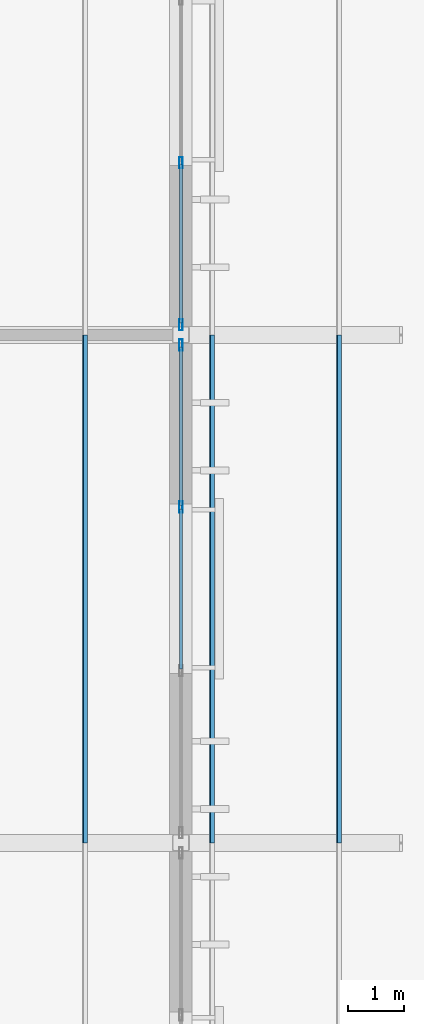
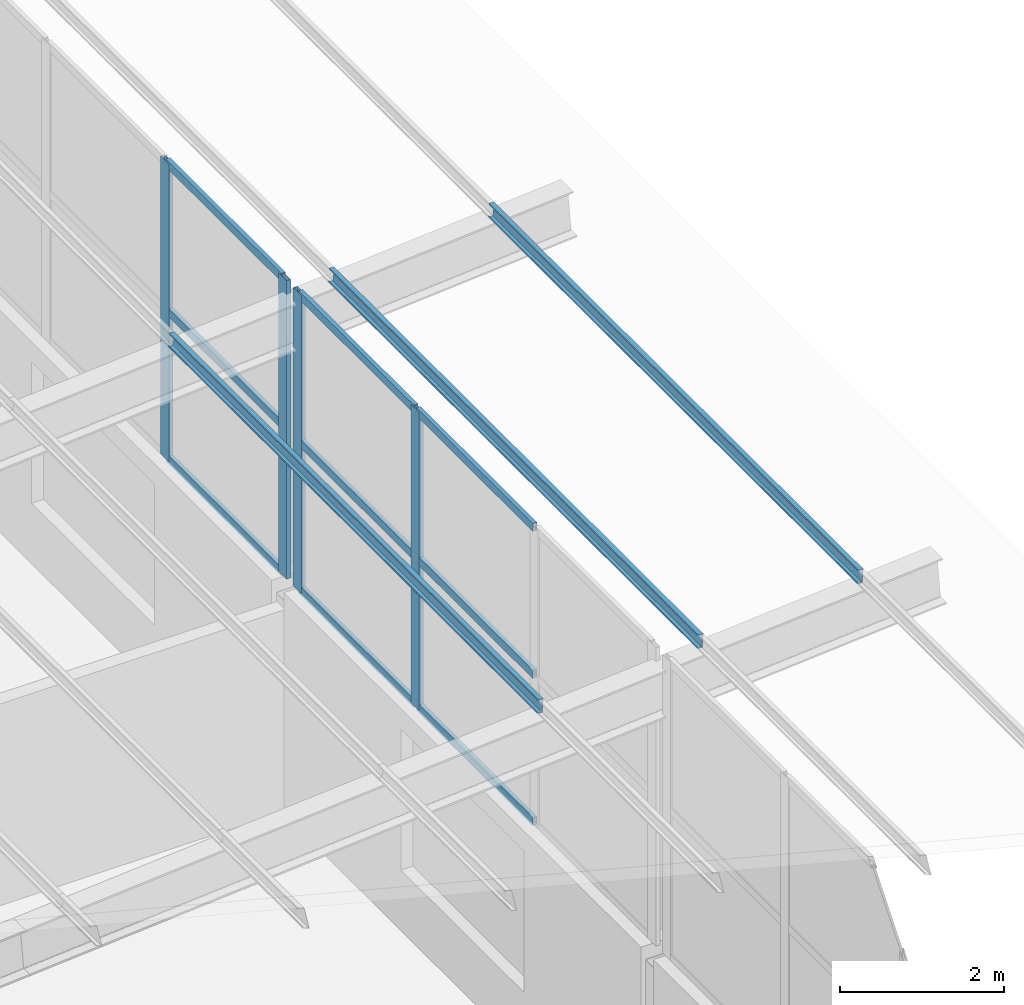
# One storey, part 48 of 85: 16 members, 2 elements without a shape of their own.
"""IFC4 building model written with IfcOpenShell, lengths in metres."""

from ifc_helpers import new_model, si_unit, direction, frame, origin, origin_2d, place, context, subcontext, project, spatial, polyline, hollow_rectangle, outline, extrude, material, layer, layer_set, material_profile, profile_set, type_object, element, aggregate, save


model = new_model("IFC4")

# Units and contexts
model_context = context("Model", 3, precision=1e-05, world=origin(), true_north=direction((0.0, 1.0)))
body_context = subcontext(model_context, "Body", "Model", "MODEL_VIEW")
ifc_project = project(units=[si_unit("LENGTHUNIT", "METRE"), si_unit("AREAUNIT", "SQUARE_METRE"), si_unit("VOLUMEUNIT", "CUBIC_METRE"), si_unit("PLANEANGLEUNIT", "RADIAN"), si_unit("MASSUNIT", "GRAM", prefix="KILO")], contexts=[model_context])

# Site, building, storey
site_placement = place(None, origin())
site = spatial("IfcSite", under=ifc_project, at=site_placement, CompositionType="ELEMENT")
building_placement = place(site_placement, origin())
building = spatial("IfcBuilding", under=site, at=building_placement, Name="Opaline Strait Convention Centre", CompositionType="ELEMENT")
storey_placement = place(building_placement, frame((0.0, 0.0, 17.0)))
storey = spatial("IfcBuildingStorey", under=building, at=storey_placement, Name="L03", CompositionType="ELEMENT", Elevation=17.0)

# Curtain wall, members
ifc_material_1 = material(Name="Aluminium framed double glazing", Category="aluminium")
ifc_layer = layer(ifc_material_1, 0.199951171875)
ifc_layer_set = layer_set([ifc_layer], Name="Aluminium framed double glazing")
curtain_wall_type = type_object("IfcCurtainWallType", Name="Curtain wall 3000 module unitised", PredefinedType="NOTDEFINED", material=ifc_layer_set)
curtain_wall_1_placement = place(storey_placement, origin())
curtain_wall_1 = element("IfcCurtainWall", 1, at=curtain_wall_1_placement, inside=storey, type_object=curtain_wall_type, Name="Clerestory curtain wall E L03 41/S", PredefinedType="NOTDEFINED")
ifc_material_2 = material(Name="Aluminium alloy 6063", Category="aluminium")
ifc_material_profile_1 = material_profile(ifc_material_2, hollow_rectangle(XDim=0.06005859375, YDim=0.199951171875, WallThickness=0.00390625, at=origin_2d()), Name="MULLION 60x200x4")
ifc_profile_set_1 = profile_set([ifc_material_profile_1], Name="Aluminium alloy 6063")
member_type_1 = type_object("IfcMemberType", Name="Curtain wall mullion 60 x 200", PredefinedType="MULLION", material=ifc_profile_set_1)
member_1_placement = place(storey_placement, frame((360.0, 149.949951171875, 3.300048828125), z_axis=(0.0, 0.0, 1.0), x_axis=(-1.0, 0.0, 0.0)))
member_1 = element("IfcMember", 2, at=member_1_placement, type_object=member_type_1, Name="MCWR1 mullion 3", PredefinedType="MULLION", context=body_context, shape_type="SweptSolid", body=[
    extrude(hollow_rectangle(XDim=0.06005859375, YDim=0.199951171875, WallThickness=0.00390625, at=origin_2d()), origin(), (0.0, 0.0, 1.0), 4.43603515625),
])
member_2_placement = place(storey_placement, frame((360.0, 152.820068359375, 3.300048828125), z_axis=(0.0, 0.0, 1.0), x_axis=(-1.0, 0.0, 0.0)))
member_2 = element("IfcMember", 3, at=member_2_placement, type_object=member_type_1, Name="MCWR1 mullion 4", PredefinedType="MULLION", context=body_context, shape_type="SweptSolid", body=[
    extrude(hollow_rectangle(XDim=0.06005859375, YDim=0.199951171875, WallThickness=0.00390625, at=origin_2d()), origin(), (0.0, 0.0, 1.0), 4.43603515625),
])

curtain_wall_2_placement = place(storey_placement, origin())
curtain_wall_2 = element("IfcCurtainWall", 4, at=curtain_wall_2_placement, inside=storey, type_object=curtain_wall_type, Name="Clerestory curtain wall E L03 41/T", PredefinedType="NOTDEFINED")
member_3_placement = place(storey_placement, frame((360.0, 153.179931640625, 3.300048828125), z_axis=(0.0, 0.0, 1.0), x_axis=(-1.0, 0.0, 0.0)))
member_3 = element("IfcMember", 5, at=member_3_placement, type_object=member_type_1, Name="MCWR1 mullion 1", PredefinedType="MULLION", context=body_context, shape_type="SweptSolid", body=[
    extrude(hollow_rectangle(XDim=0.06005859375, YDim=0.199951171875, WallThickness=0.00390625, at=origin_2d()), origin(), (0.0, 0.0, 1.0), 4.43603515625),
])
member_4_placement = place(storey_placement, frame((360.0, 156.050048828125, 3.300048828125), z_axis=(0.0, 0.0, 1.0), x_axis=(-1.0, 0.0, 0.0)))
member_4 = element("IfcMember", 6, at=member_4_placement, type_object=member_type_1, Name="MCWR1 mullion 2", PredefinedType="MULLION", context=body_context, shape_type="SweptSolid", body=[
    extrude(hollow_rectangle(XDim=0.06005859375, YDim=0.199951171875, WallThickness=0.00390625, at=origin_2d()), origin(), (0.0, 0.0, 1.0), 4.43603515625),
])

# Member
ifc_material_profile_2 = material_profile(ifc_material_2, hollow_rectangle(XDim=0.06005859375, YDim=0.1201171875, WallThickness=0.0029296875, at=origin_2d()), Name="TRANSOM 60x120x3")
ifc_profile_set_2 = profile_set([ifc_material_profile_2], Name="Aluminium alloy 6063")
member_type_2 = type_object("IfcMemberType", Name="Curtain wall transom 60 x 120", PredefinedType="USERDEFINED", material=ifc_profile_set_2)
member_5_placement = place(storey_placement, frame((360.0, 147.080078125, 3.330078125), z_axis=(0.0, 1.0, 0.0), x_axis=(-1.0, 0.0, 0.0)))
member_5 = element("IfcMember", 7, at=member_5_placement, type_object=member_type_2, Name="MCWR1 transom 2.1", ObjectType="TRANSOM", PredefinedType="USERDEFINED", context=body_context, shape_type="SweptSolid", body=[
    extrude(hollow_rectangle(XDim=0.06005859375, YDim=0.1201171875, WallThickness=0.0029296875, at=origin_2d()), origin(), (0.0, 0.0, 1.0), 2.83984375),
])

member_6_placement = place(storey_placement, frame((360.0, 147.080078125, 5.51806640625), z_axis=(0.0, 1.0, 0.0), x_axis=(-1.0, 0.0, 0.0)))
member_6 = element("IfcMember", 8, at=member_6_placement, type_object=member_type_2, Name="MCWR1 transom 2.2", ObjectType="TRANSOM", PredefinedType="USERDEFINED", context=body_context, shape_type="SweptSolid", body=[
    extrude(hollow_rectangle(XDim=0.06005859375, YDim=0.1201171875, WallThickness=0.0029296875, at=origin_2d()), origin(), (0.0, 0.0, 1.0), 2.83984375),
])

member_7_placement = place(storey_placement, frame((360.0, 147.080078125, 7.7060546875), z_axis=(0.0, 1.0, 0.0), x_axis=(-1.0, 0.0, 0.0)))
member_7 = element("IfcMember", 9, at=member_7_placement, type_object=member_type_2, Name="MCWR1 transom 2.3", ObjectType="TRANSOM", PredefinedType="USERDEFINED", context=body_context, shape_type="SweptSolid", body=[
    extrude(hollow_rectangle(XDim=0.06005859375, YDim=0.1201171875, WallThickness=0.0029296875, at=origin_2d()), origin(), (0.0, 0.0, 1.0), 2.83984375),
])

member_8_placement = place(storey_placement, frame((360.0, 149.97998046875, 3.330078125), z_axis=(0.0, 1.0, 0.0), x_axis=(-1.0, 0.0, 0.0)))
member_8 = element("IfcMember", 10, at=member_8_placement, type_object=member_type_2, Name="MCWR1 transom 3.1", ObjectType="TRANSOM", PredefinedType="USERDEFINED", context=body_context, shape_type="SweptSolid", body=[
    extrude(hollow_rectangle(XDim=0.06005859375, YDim=0.1201171875, WallThickness=0.0029296875, at=origin_2d()), origin(), (0.0, 0.0, 1.0), 2.81005859375),
])

member_9_placement = place(storey_placement, frame((360.0, 149.97998046875, 5.51806640625), z_axis=(0.0, 1.0, 0.0), x_axis=(-1.0, 0.0, 0.0)))
member_9 = element("IfcMember", 11, at=member_9_placement, type_object=member_type_2, Name="MCWR1 transom 3.2", ObjectType="TRANSOM", PredefinedType="USERDEFINED", context=body_context, shape_type="SweptSolid", body=[
    extrude(hollow_rectangle(XDim=0.06005859375, YDim=0.1201171875, WallThickness=0.0029296875, at=origin_2d()), origin(), (0.0, 0.0, 1.0), 2.81005859375),
])

member_10_placement = place(storey_placement, frame((360.0, 149.97998046875, 7.7060546875), z_axis=(0.0, 1.0, 0.0), x_axis=(-1.0, 0.0, 0.0)))
member_10 = element("IfcMember", 12, at=member_10_placement, type_object=member_type_2, Name="MCWR1 transom 3.3", ObjectType="TRANSOM", PredefinedType="USERDEFINED", context=body_context, shape_type="SweptSolid", body=[
    extrude(hollow_rectangle(XDim=0.06005859375, YDim=0.1201171875, WallThickness=0.0029296875, at=origin_2d()), origin(), (0.0, 0.0, 1.0), 2.81005859375),
])

aggregate(curtain_wall_1, [member_1, member_2, member_5, member_6, member_7, member_8, member_9, member_10])

member_11_placement = place(storey_placement, frame((360.0, 153.2099609375, 3.330078125), z_axis=(0.0, 1.0, 0.0), x_axis=(-1.0, 0.0, 0.0)))
member_11 = element("IfcMember", 13, at=member_11_placement, type_object=member_type_2, Name="MCWR1 transom 1.1", ObjectType="TRANSOM", PredefinedType="USERDEFINED", context=body_context, shape_type="SweptSolid", body=[
    extrude(hollow_rectangle(XDim=0.06005859375, YDim=0.1201171875, WallThickness=0.0029296875, at=origin_2d()), origin(), (0.0, 0.0, 1.0), 2.81005859375),
])

member_12_placement = place(storey_placement, frame((360.0, 153.2099609375, 5.51806640625), z_axis=(0.0, 1.0, 0.0), x_axis=(-1.0, 0.0, 0.0)))
member_12 = element("IfcMember", 14, at=member_12_placement, type_object=member_type_2, Name="MCWR1 transom 1.2", ObjectType="TRANSOM", PredefinedType="USERDEFINED", context=body_context, shape_type="SweptSolid", body=[
    extrude(hollow_rectangle(XDim=0.06005859375, YDim=0.1201171875, WallThickness=0.0029296875, at=origin_2d()), origin(), (0.0, 0.0, 1.0), 2.81005859375),
])

member_13_placement = place(storey_placement, frame((360.0, 153.2099609375, 7.7060546875), z_axis=(0.0, 1.0, 0.0), x_axis=(-1.0, 0.0, 0.0)))
member_13 = element("IfcMember", 15, at=member_13_placement, type_object=member_type_2, Name="MCWR1 transom 1.3", ObjectType="TRANSOM", PredefinedType="USERDEFINED", context=body_context, shape_type="SweptSolid", body=[
    extrude(hollow_rectangle(XDim=0.06005859375, YDim=0.1201171875, WallThickness=0.0029296875, at=origin_2d()), origin(), (0.0, 0.0, 1.0), 2.81005859375),
])

aggregate(curtain_wall_2, [member_3, member_4, member_11, member_12, member_13])

# Members
ifc_material_3 = material(Name="Steel Q355B", Category="steel")
ifc_material_profile_3 = material_profile(ifc_material_3, outline(polyline([(-0.034912109375, -0.10009765625), (0.034912109375, -0.10009765625), (0.034912109375, -0.080078125), (0.032470703125, -0.080078125), (0.032470703125, -0.097412109375), (-0.032470703125, -0.097412109375), (-0.032470703125, 0.097412109375), (0.032470703125, 0.097412109375), (0.032470703125, 0.080078125), (0.034912109375, 0.080078125), (0.034912109375, 0.10009765625), (-0.034912109375, 0.10009765625), (-0.034912109375, -0.10009765625)])), Name="C 200x70x20x2.5")
ifc_profile_set_3 = profile_set([ifc_material_profile_3], Name="Steel Q355B")
member_type_3 = type_object("IfcMemberType", Name="Roof purlin C 200x70x20x2.5", PredefinedType="PURLIN", material=ifc_profile_set_3)
for number, where, z_axis, x_axis, name in (
    (16, (358.300048828125, 144.0, 7.501953125), (0.0, 1.0, 0.0), (-0.996917333733, 0.0, 0.078459095728), "MRP1 purlin E wing 377"),
    (17, (360.550048828125, 144.0, 7.678955078125), (0.0, 1.0, 0.0), (-0.996917333733, 0.0, 0.078459095728), "MRP1 purlin E wing 387"),
    (18, (362.800048828125, 144.0, 7.856201171875), (0.0, 1.0, 0.0), (-0.996917333733, 0.0, 0.078459095728), "MRP1 purlin E wing 397"),
):
    element("IfcMember", number, at=place(storey_placement, frame(where, z_axis=z_axis, x_axis=x_axis)), inside=storey, type_object=member_type_3, Name=name, PredefinedType="PURLIN", context=body_context, shape_type="SweptSolid", body=[
        extrude(outline(polyline([(-0.034912109375, -0.10009765625), (0.034912109375, -0.10009765625), (0.034912109375, -0.080078125), (0.032470703125, -0.080078125), (0.032470703125, -0.097412109375), (-0.032470703125, -0.097412109375), (-0.032470703125, 0.097412109375), (0.032470703125, 0.097412109375), (0.032470703125, 0.080078125), (0.034912109375, 0.080078125), (0.034912109375, 0.10009765625), (-0.034912109375, 0.10009765625), (-0.034912109375, -0.10009765625)])), origin(), (0.0, 0.0, 1.0), 9.0),
    ])

save(model, "model.ifc")
